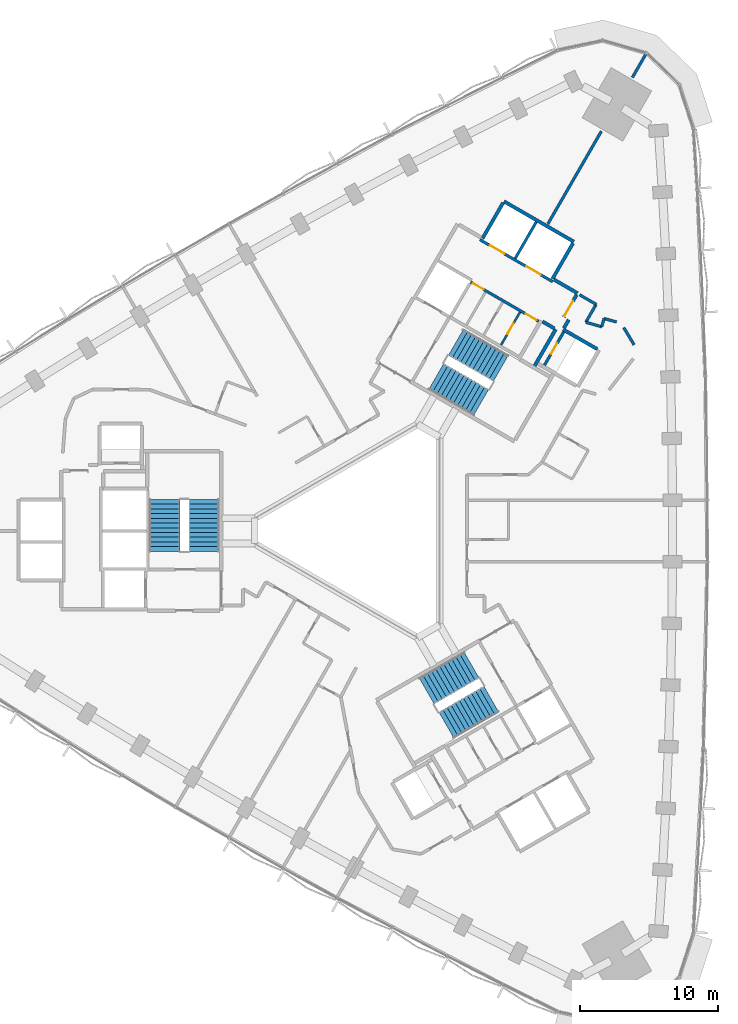
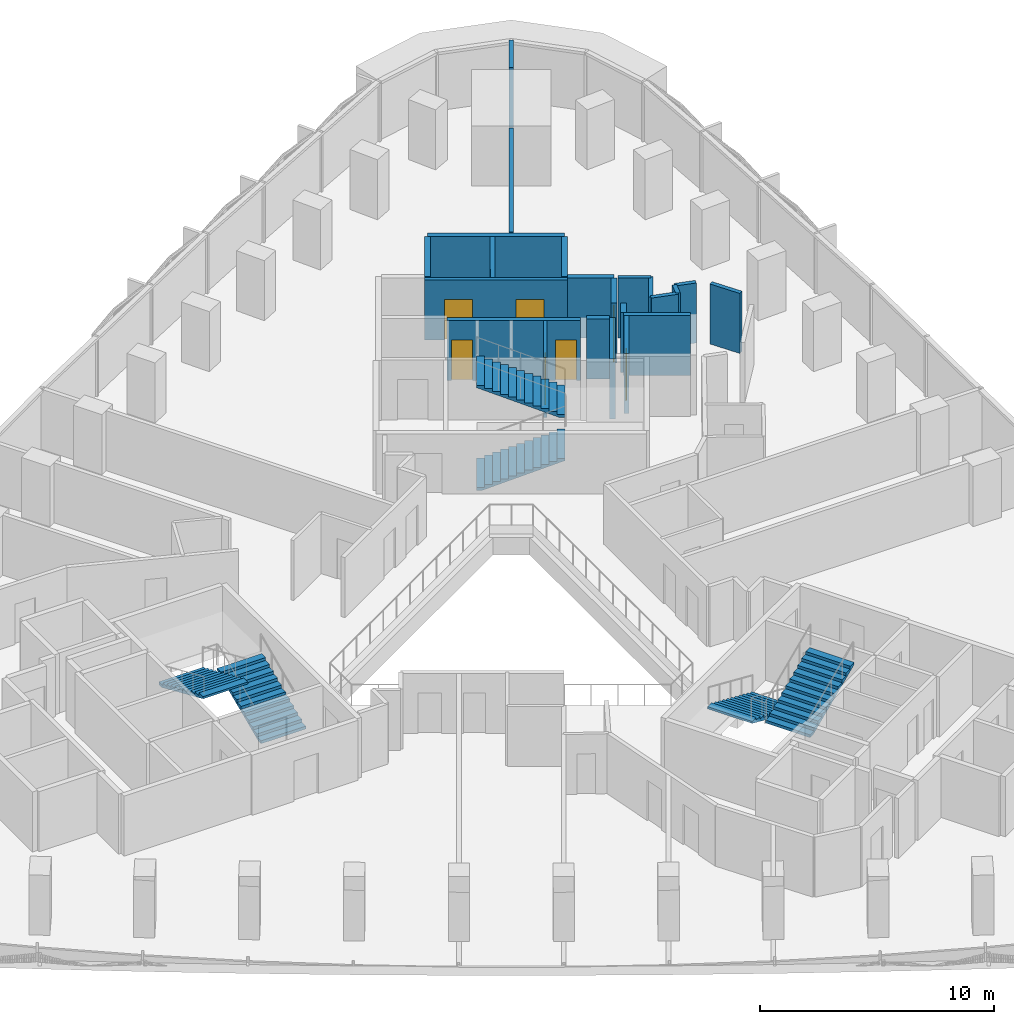
# One storey, part 12 of 15: 22 walls, 7 doors, 6 stair flights, 7 openings, 3 elements without a shape of their own.
"""IFC4 building model written with IfcOpenShell, lengths in metres."""

from ifc_helpers import new_model, si_unit, direction, frame, frame_2d, origin, place, context, subcontext, project, spatial, polyline, rectangle, outline, extrude, material, layer, layer_set, type_object, element, fill, aggregate, save


model = new_model("IFC4")

# Units and contexts
model_context = context("Model", 3, precision=1e-05, world=origin(), true_north=direction((0.0, 1.0)))
body_context = subcontext(model_context, "Body", "Model", "MODEL_VIEW")
ifc_project = project(units=[si_unit("LENGTHUNIT", "METRE"), si_unit("AREAUNIT", "SQUARE_METRE"), si_unit("VOLUMEUNIT", "CUBIC_METRE"), si_unit("PLANEANGLEUNIT", "RADIAN"), si_unit("MASSUNIT", "GRAM", prefix="KILO")], contexts=[model_context])

# Site, building, storey
site_placement = place(None, origin())
site = spatial("IfcSite", under=ifc_project, at=site_placement, CompositionType="ELEMENT")
building_placement = place(site_placement, origin())
building = spatial("IfcBuilding", under=site, at=building_placement, Name="Tamra Quay Hotel Tower", CompositionType="ELEMENT")
storey_placement = place(building_placement, frame((0.0, 0.0, 53.0)))
storey = spatial("IfcBuildingStorey", under=building, at=storey_placement, Name="L11", CompositionType="ELEMENT", Elevation=53.0)

# Wall, openings, doors
ifc_material_1 = material(Name="Concrete M70", Category="concrete")
ifc_layer_1 = layer(ifc_material_1, 0.199951171875)
ifc_layer_set_1 = layer_set([ifc_layer_1], Name="Concrete M70 core wall 200")
wall_type_1 = type_object("IfcWallType", Name="Concrete M70 core wall 200", PredefinedType="SHEAR", material=ifc_layer_set_1)
wall_1_placement = place(storey_placement, frame((13.209716796875, 18.07958984375, 0.0), z_axis=(0.0, 0.0, 1.0), x_axis=(-0.866030299012, 0.499991521122, 0.0)))
wall_1 = element("IfcWall", 1, at=wall_1_placement, inside=storey, type_object=wall_type_1, Name="CW2", PredefinedType="SHEAR", context=body_context, shape_type="SweptSolid", body=[
    extrude(rectangle(XDim=6.10009765625, YDim=0.199951171875, at=frame_2d((3.050048828125, 0.0))), origin(), (0.0, 0.0, 1.0), 3.125),
])
opening_1_placement = place(wall_1_placement, frame((1.0, 0.0, 0.0)))
opening_1 = element("IfcOpeningElement", 2, at=opening_1_placement, cuts=wall_1, Name="Opening LD", PredefinedType="OPENING", context=body_context, shape_type="SweptSolid", body=[
    extrude(rectangle(XDim=1.199951171875, YDim=2.10009765625, at=frame_2d((0.60009765625, 1.050048828125))), frame((0.0, 0.10986328125, 0.0), z_axis=(0.0, -1.0, 0.0), x_axis=(1.0, 0.0, 0.0)), (0.0, 0.0, 1.0), 0.219970703125),
])
opening_2_placement = place(wall_1_placement, frame((4.05029296875, 0.0, 0.0)))
opening_2 = element("IfcOpeningElement", 3, at=opening_2_placement, cuts=wall_1, Name="Opening LD", PredefinedType="OPENING", context=body_context, shape_type="SweptSolid", body=[
    extrude(rectangle(XDim=1.199951171875, YDim=2.10009765625, at=frame_2d((0.60009765625, 1.050048828125))), frame((0.0, 0.10986328125, 0.0), z_axis=(0.0, -1.0, 0.0), x_axis=(1.0, 0.0, 0.0)), (0.0, 0.0, 1.0), 0.219970703125),
])
ifc_material_2 = material(Name="Landing door LD 1200 double door sliding")
door_type_1 = type_object("IfcDoorType", Name="Landing door LD 1200 double door sliding", OperationType="DOUBLE_DOOR_SLIDING", PredefinedType="DOOR", material=ifc_material_2)
door_1_placement = place(opening_1_placement, origin())
door_1 = element("IfcDoor", 4, at=door_1_placement, inside=storey, type_object=door_type_1, Name="LD", OperationType="DOUBLE_DOOR_SLIDING", OverallHeight=2.10009765625, OverallWidth=1.199951171875, PredefinedType="DOOR", context=body_context, shape_type="SweptSolid", body=[
    extrude(rectangle(XDim=1.199951171875, YDim=2.10009765625, at=frame_2d((0.60009765625, 1.050048828125))), frame((0.0, 0.02490234375, 0.0), z_axis=(0.0, -1.0, 0.0), x_axis=(1.0, 0.0, 0.0)), (0.0, 0.0, 1.0), 0.050048828125),
])
fill(opening_1, door_1)
door_2_placement = place(opening_2_placement, origin())
door_2 = element("IfcDoor", 5, at=door_2_placement, inside=storey, type_object=door_type_1, Name="LD", OperationType="DOUBLE_DOOR_SLIDING", OverallHeight=2.10009765625, OverallWidth=1.199951171875, PredefinedType="DOOR", context=body_context, shape_type="SweptSolid", body=[
    extrude(rectangle(XDim=1.199951171875, YDim=2.10009765625, at=frame_2d((0.60009765625, 1.050048828125))), frame((0.0, 0.02490234375, 0.0), z_axis=(0.0, -1.0, 0.0), x_axis=(1.0, 0.0, 0.0)), (0.0, 0.0, 1.0), 0.050048828125),
])
fill(opening_2, door_2)

wall_2_placement = place(storey_placement, frame((12.18505859375, 15.20703125, 0.0), z_axis=(0.0, 0.0, 1.0), x_axis=(-0.866020080793, 0.500009219579, 0.0)))
wall_2 = element("IfcWall", 6, at=wall_2_placement, inside=storey, type_object=wall_type_1, Name="CW2", PredefinedType="SHEAR", context=body_context, shape_type="SweptSolid", body=[
    extrude(rectangle(XDim=5.69921875, YDim=0.199951171875, at=frame_2d((2.849609375, 0.0))), origin(), (0.0, 0.0, 1.0), 3.125),
])
opening_3_placement = place(wall_2_placement, frame((0.174072265625, 0.0, 0.0)))
opening_3 = element("IfcOpeningElement", 7, at=opening_3_placement, cuts=wall_2, Name="Opening D2", PredefinedType="OPENING", context=body_context, shape_type="SweptSolid", body=[
    extrude(rectangle(XDim=0.89990234375, YDim=2.10009765625, at=frame_2d((0.449951171875, 1.050048828125))), frame((0.0, 0.10986328125, 0.0), z_axis=(0.0, -1.0, 0.0), x_axis=(1.0, 0.0, 0.0)), (0.0, 0.0, 1.0), 0.219970703125),
])
opening_4_placement = place(wall_2_placement, frame((4.59912109375, 0.0, 0.0)))
opening_4 = element("IfcOpeningElement", 8, at=opening_4_placement, cuts=wall_2, Name="Opening D2", PredefinedType="OPENING", context=body_context, shape_type="SweptSolid", body=[
    extrude(rectangle(XDim=0.89990234375, YDim=2.10009765625, at=frame_2d((0.449951171875, 1.050048828125))), frame((0.0, 0.10986328125, 0.0), z_axis=(0.0, -1.0, 0.0), x_axis=(1.0, 0.0, 0.0)), (0.0, 0.0, 1.0), 0.219970703125),
])
ifc_material_3 = material(Name="Core door D2 900x2100 LH")
door_type_2 = type_object("IfcDoorType", Name="Core door D2 900x2100 LH", OperationType="NOTDEFINED", PredefinedType="DOOR", material=ifc_material_3)
door_3_placement = place(opening_4_placement, origin())
door_3 = element("IfcDoor", 9, at=door_3_placement, inside=storey, type_object=door_type_2, Name="D2", OperationType="SINGLE_SWING_LEFT", OverallHeight=2.10009765625, OverallWidth=0.89990234375, PredefinedType="DOOR", context=body_context, shape_type="SweptSolid", body=[
    extrude(rectangle(XDim=0.89990234375, YDim=2.10009765625, at=frame_2d((0.449951171875, 1.050048828125))), frame((0.0, 0.02490234375, 0.0), z_axis=(0.0, -1.0, 0.0), x_axis=(1.0, 0.0, 0.0)), (0.0, 0.0, 1.0), 0.050048828125),
])
fill(opening_4, door_3)
ifc_material_4 = material(Name="Core door D2 900x2100 RH")
door_type_3 = type_object("IfcDoorType", Name="Core door D2 900x2100 RH", OperationType="NOTDEFINED", PredefinedType="DOOR", material=ifc_material_4)
door_4_placement = place(opening_3_placement, origin())
door_4 = element("IfcDoor", 10, at=door_4_placement, inside=storey, type_object=door_type_3, Name="D2", OperationType="SINGLE_SWING_RIGHT", OverallHeight=2.10009765625, OverallWidth=0.89990234375, PredefinedType="DOOR", context=body_context, shape_type="SweptSolid", body=[
    extrude(rectangle(XDim=0.89990234375, YDim=2.10009765625, at=frame_2d((0.449951171875, 1.050048828125))), frame((0.0, 0.02490234375, 0.0), z_axis=(0.0, -1.0, 0.0), x_axis=(1.0, 0.0, 0.0)), (0.0, 0.0, 1.0), 0.050048828125),
])
fill(opening_3, door_4)

# Wall
wall_3_placement = place(storey_placement, frame((10.48876953125, 19.76708984375, 0.0), z_axis=(0.0, 0.0, 1.0), x_axis=(0.499946628782, 0.866056215479, 0.0)))
element("IfcWall", 11, at=wall_3_placement, inside=storey, type_object=wall_type_1, Name="CW2", PredefinedType="SHEAR", context=body_context, shape_type="SweptSolid", body=[
    extrude(rectangle(XDim=3.048095703125, YDim=0.199951171875, at=frame_2d((1.52392578125, 0.0))), origin(), (0.0, 0.0, 1.0), 3.125),
])

# Wall, opening, door
wall_4_placement = place(storey_placement, frame((14.0078125, 14.442138671875, 0.0), z_axis=(0.0, 0.0, 1.0), x_axis=(-0.499986818241, -0.866033014143, 0.0)))
wall_4 = element("IfcWall", 12, at=wall_4_placement, inside=storey, type_object=wall_type_1, Name="CW2", PredefinedType="SHEAR", context=body_context, shape_type="SweptSolid", body=[
    extrude(rectangle(XDim=2.7978515625, YDim=0.199951171875, at=frame_2d((1.39892578125, 0.0))), origin(), (0.0, 0.0, 1.0), 3.125),
])
opening_5_placement = place(wall_4_placement, frame((0.948974609375, 0.0, 0.0)))
opening_5 = element("IfcOpeningElement", 13, at=opening_5_placement, cuts=wall_4, Name="Opening D1", PredefinedType="OPENING", context=body_context, shape_type="SweptSolid", body=[
    extrude(rectangle(XDim=0.89990234375, YDim=2.10009765625, at=frame_2d((0.449951171875, 1.050048828125))), frame((0.0, 0.10986328125, 0.0), z_axis=(0.0, -1.0, 0.0), x_axis=(1.0, 0.0, 0.0)), (0.0, 0.0, 1.0), 0.219970703125),
])
ifc_material_5 = material(Name="Core door D1 900x2100 RH")
door_type_4 = type_object("IfcDoorType", Name="Core door D1 900x2100 RH", OperationType="NOTDEFINED", PredefinedType="DOOR", material=ifc_material_5)
door_5_placement = place(opening_5_placement, origin())
door_5 = element("IfcDoor", 14, at=door_5_placement, inside=storey, type_object=door_type_4, Name="D1", OperationType="SINGLE_SWING_RIGHT", OverallHeight=2.10009765625, OverallWidth=0.89990234375, PredefinedType="DOOR", context=body_context, shape_type="SweptSolid", body=[
    extrude(rectangle(XDim=0.89990234375, YDim=2.10009765625, at=frame_2d((0.449951171875, 1.050048828125))), frame((0.0, 0.02490234375, 0.0), z_axis=(0.0, -1.0, 0.0), x_axis=(1.0, 0.0, 0.0)), (0.0, 0.0, 1.0), 0.050048828125),
])
fill(opening_5, door_5)

# Walls
ifc_layer_2 = layer(ifc_material_1, 0.25)
ifc_layer_set_2 = layer_set([ifc_layer_2], Name="Concrete M70 core wall 250")
wall_type_2 = type_object("IfcWallType", Name="Concrete M70 core wall 250", PredefinedType="SHEAR", material=ifc_layer_set_2)
wall_5_placement = place(storey_placement, frame((9.672607421875, 23.9033203125, 0.0), z_axis=(0.0, 0.0, 1.0), x_axis=(0.86603616409, -0.499981362141, 0.0)))
element("IfcWall", 15, at=wall_5_placement, inside=storey, type_object=wall_type_2, Name="CW1", PredefinedType="SHEAR", context=body_context, shape_type="SweptSolid", body=[
    extrude(rectangle(XDim=5.849853515625, YDim=0.25, at=frame_2d((2.9248046875, 0.0))), origin(), (0.0, 0.0, 1.0), 3.125),
])
for number, where, z_axis, x_axis, name in (
    (16, (8.12255859375, 21.21875, 0.0), (0.0, 0.0, 1.0), (0.499987686533, 0.866032512851, 0.0), "CW1"),
    (17, (14.67626953125, 20.869873046875, 0.0), (0.0, 0.0, 1.0), (-0.499987686533, -0.866032512851, 0.0), "CW1"),
):
    element("IfcWall", number, at=place(storey_placement, frame(where, z_axis=z_axis, x_axis=x_axis)), inside=storey, type_object=wall_type_2, Name=name, PredefinedType="SHEAR", context=body_context, shape_type="SweptSolid", body=[
        extrude(rectangle(XDim=2.974609375, YDim=0.25, at=frame_2d((1.4873046875, 0.0))), origin(), (0.0, 0.0, 1.0), 3.125),
    ])
wall_6_placement = place(storey_placement, frame((13.962646484375, 14.61376953125, 0.0), z_axis=(0.0, 0.0, 1.0), x_axis=(0.866042235819, -0.499970844928, 0.0)))
element("IfcWall", 18, at=wall_6_placement, inside=storey, type_object=wall_type_2, Name="CW1", PredefinedType="SHEAR", context=body_context, shape_type="SweptSolid", body=[
    extrude(rectangle(XDim=2.864501953125, YDim=0.25, at=frame_2d((1.43212890625, 0.0))), origin(), (0.0, 0.0, 1.0), 3.125),
])
wall_7_placement = place(storey_placement, frame((11.887939453125, 11.960693359375, 0.0), z_axis=(0.0, 0.0, 1.0), x_axis=(0.500003324108, 0.866023484601, 0.0)))
element("IfcWall", 19, at=wall_7_placement, inside=storey, type_object=wall_type_2, Name="CW1", PredefinedType="SHEAR", context=body_context, shape_type="SweptSolid", body=[
    extrude(rectangle(XDim=3.0849609375, YDim=0.25, at=frame_2d((1.54248046875, 0.0))), origin(), (0.0, 0.0, 1.0), 3.125),
])
wall_8_placement = place(storey_placement, frame((13.29736328125, 18.23095703125, 0.0), z_axis=(0.0, 0.0, 1.0), x_axis=(0.866043531843, -0.499968599967, 0.0)))
element("IfcWall", 20, at=wall_8_placement, inside=storey, type_object=wall_type_2, Name="CW1", PredefinedType="SHEAR", context=body_context, shape_type="SweptSolid", body=[
    extrude(rectangle(XDim=1.974853515625, YDim=0.25, at=frame_2d((0.9873046875, 0.0))), origin(), (0.0, 0.0, 1.0), 3.125),
])

# Wall, opening, door
wall_9_placement = place(storey_placement, frame((14.94482421875, 17.13525390625, 0.0), z_axis=(0.0, 0.0, 1.0), x_axis=(-0.499983108224, -0.866035156036, 0.0)))
wall_9 = element("IfcWall", 21, at=wall_9_placement, inside=storey, type_object=wall_type_2, Name="CW1", PredefinedType="SHEAR", context=body_context, shape_type="SweptSolid", body=[
    extrude(rectangle(XDim=1.86474609375, YDim=0.25, at=frame_2d((0.932373046875, 0.0))), origin(), (0.0, 0.0, 1.0), 3.125),
])
opening_6_placement = place(wall_9_placement, frame((0.53466796875, 0.0, 0.0)))
opening_6 = element("IfcOpeningElement", 22, at=opening_6_placement, cuts=wall_9, Name="Opening FD3", PredefinedType="OPENING", context=body_context, shape_type="SweptSolid", body=[
    extrude(rectangle(XDim=1.25, YDim=2.10009765625, at=frame_2d((0.625, 1.050048828125))), frame((0.0, 0.135009765625, 0.0), z_axis=(0.0, -1.0, 0.0), x_axis=(1.0, 0.0, 0.0)), (0.0, 0.0, 1.0), 0.27001953125),
])
ifc_material_6 = material(Name="Core door FD3 1250x2100 LH")
door_type_5 = type_object("IfcDoorType", Name="Core door FD3 1250x2100 LH", OperationType="NOTDEFINED", PredefinedType="DOOR", material=ifc_material_6)
door_6_placement = place(opening_6_placement, origin())
door_6 = element("IfcDoor", 23, at=door_6_placement, inside=storey, type_object=door_type_5, Name="FD3", OperationType="SINGLE_SWING_LEFT", OverallHeight=2.10009765625, OverallWidth=1.25, PredefinedType="DOOR", context=body_context, shape_type="SweptSolid", body=[
    extrude(rectangle(XDim=1.25, YDim=2.10009765625, at=frame_2d((0.625, 1.050048828125))), frame((0.0, 0.02490234375, 0.0), z_axis=(0.0, -1.0, 0.0), x_axis=(1.0, 0.0, 0.0)), (0.0, 0.0, 1.0), 0.050048828125),
])
fill(opening_6, door_6)

# Walls
wall_10_placement = place(storey_placement, frame((13.322021484375, 14.695068359375, 0.0), z_axis=(0.0, 0.0, 1.0), x_axis=(-0.866017078145, 0.500014420154, 0.0)))
element("IfcWall", 24, at=wall_10_placement, inside=storey, type_object=wall_type_2, Name="CW1", PredefinedType="SHEAR", context=body_context, shape_type="SweptSolid", body=[
    extrude(rectangle(XDim=0.9892578125, YDim=0.25, at=frame_2d((0.49462890625, 0.0))), origin(), (0.0, 0.0, 1.0), 3.125),
])
wall_11_placement = place(storey_placement, frame((14.36767578125, 15.3154296875, 0.0), z_axis=(0.0, 0.0, 1.0), x_axis=(-0.499897359611, -0.866084655132, 0.0)))
element("IfcWall", 25, at=wall_11_placement, inside=storey, type_object=wall_type_2, Name="CW1", PredefinedType="SHEAR", context=body_context, shape_type="SweptSolid", body=[
    extrude(rectangle(XDim=0.684814453125, YDim=0.25, at=frame_2d((0.34228515625, 0.0))), origin(), (0.0, 0.0, 1.0), 3.125),
])

# Wall, opening, door
ifc_material_7 = material(Name="Blockwork", Category="masonry")
ifc_layer_3 = layer(ifc_material_7, 0.14990234375)
ifc_layer_set_3 = layer_set([ifc_layer_3], Name="Core partition block 150")
wall_type_3 = type_object("IfcWallType", Name="Core partition block 150", PredefinedType="PARTITIONING", material=ifc_layer_set_3)
wall_12_placement = place(storey_placement, frame((9.462158203125, 13.4892578125, 0.0), z_axis=(0.0, 0.0, 1.0), x_axis=(0.50002746344, 0.86600954718, 0.0)))
wall_12 = element("IfcWall", 26, at=wall_12_placement, inside=storey, type_object=wall_type_3, Name="CP1", PredefinedType="PARTITIONING", context=body_context, shape_type="SweptSolid", body=[
    extrude(rectangle(XDim=2.748291015625, YDim=0.14990234375, at=frame_2d((1.3740234375, 0.0))), origin(), (0.0, 0.0, 1.0), 3.125),
])
opening_7_placement = place(wall_12_placement, frame((0.92431640625, 0.0, 0.0)))
opening_7 = element("IfcOpeningElement", 27, at=opening_7_placement, cuts=wall_12, Name="Opening D2", PredefinedType="OPENING", context=body_context, shape_type="SweptSolid", body=[
    extrude(rectangle(XDim=0.89990234375, YDim=2.10009765625, at=frame_2d((0.449951171875, 1.050048828125))), frame((0.0, 0.0849609375, 0.0), z_axis=(0.0, -1.0, 0.0), x_axis=(1.0, 0.0, 0.0)), (0.0, 0.0, 1.0), 0.169921875),
])
door_7_placement = place(opening_7_placement, origin())
door_7 = element("IfcDoor", 28, at=door_7_placement, inside=storey, type_object=door_type_2, Name="D2", OperationType="SINGLE_SWING_LEFT", OverallHeight=2.10009765625, OverallWidth=0.89990234375, PredefinedType="DOOR", context=body_context, shape_type="SweptSolid", body=[
    extrude(rectangle(XDim=0.89990234375, YDim=2.10009765625, at=frame_2d((0.449951171875, 1.050048828125))), frame((0.0, 0.02490234375, 0.0), z_axis=(0.0, -1.0, 0.0), x_axis=(1.0, 0.0, 0.0)), (0.0, 0.0, 1.0), 0.050048828125),
])
fill(opening_7, door_7)

# Walls
ifc_material_8 = material(Name="Partition corridor wall")
ifc_layer_4 = layer(ifc_material_8, 0.199951171875)
ifc_layer_set_4 = layer_set([ifc_layer_4], Name="Partition corridor wall")
wall_type_4 = type_object("IfcWallType", Name="Partition corridor wall", PredefinedType="PARTITIONING", material=ifc_layer_set_4)
wall_13_placement = place(storey_placement, frame((15.155517578125, 17.130126953125, 0.0), z_axis=(0.0, 0.0, 1.0), x_axis=(0.865755062894, -0.500467952093, 0.0)))
element("IfcWall", 29, at=wall_13_placement, inside=storey, type_object=wall_type_4, Name="W-C", PredefinedType="PARTITIONING", context=body_context, shape_type="SweptSolid", body=[
    extrude(rectangle(XDim=1.388916015625, YDim=0.199951171875, at=frame_2d((0.6943359375, 0.0))), origin(), (0.0, 0.0, 1.0), 3.125),
])
wall_14_placement = place(storey_placement, frame((15.60888671875, 15.135986328125, 0.0), z_axis=(0.0, 0.0, 1.0), x_axis=(0.499501622561, 0.866312950993, 0.0)))
element("IfcWall", 30, at=wall_14_placement, inside=storey, type_object=wall_type_4, Name="W-C", PredefinedType="PARTITIONING", context=body_context, shape_type="SweptSolid", body=[
    extrude(rectangle(XDim=1.49951171875, YDim=0.199951171875, at=frame_2d((0.749755859375, 0.0))), origin(), (0.0, 0.0, 1.0), 3.125),
])
wall_15_placement = place(storey_placement, frame((15.60888671875, 15.135986328125, 0.0), z_axis=(0.0, 0.0, 1.0), x_axis=(0.961662011825, -0.274237442763, 0.0)))
element("IfcWall", 31, at=wall_15_placement, inside=storey, type_object=wall_type_4, Name="W-C", PredefinedType="PARTITIONING", context=body_context, shape_type="SweptSolid", body=[
    extrude(rectangle(XDim=1.199951171875, YDim=0.199951171875, at=frame_2d((0.60009765625, 0.0))), origin(), (0.0, 0.0, 1.0), 3.125),
])
wall_16_placement = place(storey_placement, frame((16.762939453125, 14.806884765625, 0.0), z_axis=(0.0, 0.0, 1.0), x_axis=(0.274464026122, 0.961597368115, 0.0)))
element("IfcWall", 32, at=wall_16_placement, inside=storey, type_object=wall_type_4, Name="W-C", PredefinedType="PARTITIONING", context=body_context, shape_type="SweptSolid", body=[
    extrude(rectangle(XDim=0.627197265625, YDim=0.199951171875, at=frame_2d((0.3134765625, 0.0))), origin(), (0.0, 0.0, 1.0), 3.125),
])
wall_17_placement = place(storey_placement, frame((16.93505859375, 15.409912109375, 0.0), z_axis=(0.0, 0.0, 1.0), x_axis=(0.961602664273, -0.274445470107, 0.0)))
element("IfcWall", 33, at=wall_17_placement, inside=storey, type_object=wall_type_4, Name="W-C", PredefinedType="PARTITIONING", context=body_context, shape_type="SweptSolid", body=[
    extrude(rectangle(XDim=0.935791015625, YDim=0.199951171875, at=frame_2d((0.4677734375, 0.0))), origin(), (0.0, 0.0, 1.0), 3.125),
])
wall_18_placement = place(storey_placement, frame((18.360107421875, 14.7509765625, 0.0), z_axis=(0.0, 0.0, 1.0), x_axis=(0.514495755428, -0.857492925713, 0.0)))
element("IfcWall", 34, at=wall_18_placement, inside=storey, type_object=wall_type_4, Name="W-C", PredefinedType="PARTITIONING", context=body_context, shape_type="SweptSolid", body=[
    extrude(rectangle(XDim=1.457763671875, YDim=0.199951171875, at=frame_2d((0.72900390625, 0.0))), origin(), (0.0, 0.0, 1.0), 3.125),
])
ifc_material_9 = material(Name="Partition party wall")
ifc_layer_5 = layer(ifc_material_9, 0.199951171875)
ifc_layer_set_5 = layer_set([ifc_layer_5], Name="Partition party wall")
wall_type_5 = type_object("IfcWallType", Name="Partition party wall", PredefinedType="PARTITIONING", material=ifc_layer_set_5)
wall_19_placement = place(storey_placement, frame((12.861083984375, 22.276123046875, 0.0), z_axis=(0.0, 0.0, 1.0), x_axis=(0.499824227645, 0.86612686222, 0.0)))
element("IfcWall", 35, at=wall_19_placement, inside=storey, type_object=wall_type_5, Name="W-P", PredefinedType="PARTITIONING", context=body_context, shape_type="SweptSolid", body=[
    extrude(rectangle(XDim=7.752685546875, YDim=0.199951171875, at=frame_2d((3.87646484375, 0.0))), origin(), (0.0, 0.0, 1.0), 3.125),
])
wall_20_placement = place(storey_placement, frame((18.987060546875, 32.89208984375, 0.0), z_axis=(0.0, 0.0, 1.0), x_axis=(0.499812681335, 0.866133525259, 0.0)))
element("IfcWall", 36, at=wall_20_placement, inside=storey, type_object=wall_type_5, Name="W-P", PredefinedType="PARTITIONING", context=body_context, shape_type="SweptSolid", body=[
    extrude(rectangle(XDim=2.030029296875, YDim=0.199951171875, at=frame_2d((1.01513671875, 0.0))), origin(), (0.0, 0.0, 1.0), 3.125),
])

# Stair, stair flights
ifc_material_10 = material(Name="Exit stair 2200 24 risers 150.0 going 342")
stair_type = type_object("IfcStairType", Name="Exit stair 2200 24 risers 150.0 going 342", PredefinedType="HALF_TURN_STAIR", material=ifc_material_10)
stair_1_placement = place(storey_placement, origin())
stair_1 = element("IfcStair", 37, at=stair_1_placement, inside=storey, type_object=stair_type, Name="L11 Exit stair ST3", PredefinedType="HALF_TURN_STAIR")
ifc_material_11 = material(Name="Exit stair flight 2200 12 risers 150.0")
stair_flight_type = type_object("IfcStairFlightType", Name="Exit stair flight 2200 12 risers 150.0", PredefinedType="STRAIGHT", material=ifc_material_11)
stair_flight_1_placement = place(storey_placement, frame((-12.082275390625, -1.47998046875, 0.0), z_axis=(0.0, 0.0, 1.0), x_axis=(0.0, 1.0, 0.0)))
stair_flight_1 = element("IfcStairFlight", 38, at=stair_flight_1_placement, type_object=stair_flight_type, Name="ST3 flight 1", NumberOfRisers=12, NumberOfTreads=11, PredefinedType="STRAIGHT", RiserHeight=0.15, TreadLength=0.342, context=body_context, shape_type="SweptSolid", body=[
    extrude(outline(polyline([(0.0, 0.0), (0.0, 0.14990234375), (0.342041015625, 0.14990234375), (0.342041015625, 0.300048828125), (0.68408203125, 0.300048828125), (0.68408203125, 0.449951171875), (1.02587890625, 0.449951171875), (1.02587890625, 0.60009765625), (1.367919921875, 0.60009765625), (1.367919921875, 0.75), (1.7099609375, 0.75), (1.7099609375, 0.89990234375), (2.052001953125, 0.89990234375), (2.052001953125, 1.050048828125), (2.39404296875, 1.050048828125), (2.39404296875, 1.199951171875), (2.736083984375, 1.199951171875), (2.736083984375, 1.35009765625), (3.077880859375, 1.35009765625), (3.077880859375, 1.5), (3.419921875, 1.5), (3.419921875, 1.64990234375), (3.761962890625, 1.64990234375), (3.761962890625, 1.800048828125), (3.761962890625, 1.540771484375), (0.249267578125, 0.0), (0.0, 0.0)])), frame((0.0, 1.10009765625, 0.0), z_axis=(0.0, -1.0, 0.0), x_axis=(1.0, 0.0, 0.0)), (0.0, 0.0, 1.0), 2.199951171875),
])
stair_flight_2_placement = place(storey_placement, frame((-14.94140625, 2.281982421875, 1.800048828125), z_axis=(0.0, 0.0, 1.0), x_axis=(0.0, -1.0, 0.0)))
stair_flight_2 = element("IfcStairFlight", 39, at=stair_flight_2_placement, type_object=stair_flight_type, Name="ST3 flight 2", NumberOfRisers=12, NumberOfTreads=11, PredefinedType="STRAIGHT", RiserHeight=0.15, TreadLength=0.342, context=body_context, shape_type="SweptSolid", body=[
    extrude(outline(polyline([(0.0, 0.0), (0.0, 0.14990234375), (0.342041015625, 0.14990234375), (0.342041015625, 0.300048828125), (0.68408203125, 0.300048828125), (0.68408203125, 0.449951171875), (1.02587890625, 0.449951171875), (1.02587890625, 0.60009765625), (1.367919921875, 0.60009765625), (1.367919921875, 0.75), (1.7099609375, 0.75), (1.7099609375, 0.89990234375), (2.052001953125, 0.89990234375), (2.052001953125, 1.050048828125), (2.39404296875, 1.050048828125), (2.39404296875, 1.199951171875), (2.736083984375, 1.199951171875), (2.736083984375, 1.35009765625), (3.077880859375, 1.35009765625), (3.077880859375, 1.5), (3.419921875, 1.5), (3.419921875, 1.64990234375), (3.761962890625, 1.64990234375), (3.761962890625, 1.800048828125), (3.761962890625, 1.540771484375), (0.249267578125, 0.0), (0.0, 0.0)])), frame((0.0, 1.10009765625, 0.0), z_axis=(0.0, -1.0, 0.0), x_axis=(1.0, 0.0, 0.0)), (0.0, 0.0, 1.0), 2.199951171875),
])
aggregate(stair_1, [stair_flight_1, stair_flight_2])

stair_2_placement = place(storey_placement, origin())
stair_2 = element("IfcStair", 40, at=stair_2_placement, inside=storey, type_object=stair_type, Name="L11 Exit stair ST1", PredefinedType="HALF_TURN_STAIR")
stair_flight_3_placement = place(storey_placement, frame((4.75927734375, 11.20361328125, 0.0), z_axis=(0.0, 0.0, 1.0), x_axis=(0.866025403784, -0.5, 0.0)))
stair_flight_3 = element("IfcStairFlight", 41, at=stair_flight_3_placement, type_object=stair_flight_type, Name="ST1 flight 1", NumberOfRisers=12, NumberOfTreads=11, PredefinedType="STRAIGHT", RiserHeight=0.15, TreadLength=0.342, context=body_context, shape_type="SweptSolid", body=[
    extrude(outline(polyline([(0.0, 0.0), (0.0, 0.14990234375), (0.342041015625, 0.14990234375), (0.342041015625, 0.300048828125), (0.68408203125, 0.300048828125), (0.68408203125, 0.449951171875), (1.02587890625, 0.449951171875), (1.02587890625, 0.60009765625), (1.367919921875, 0.60009765625), (1.367919921875, 0.75), (1.7099609375, 0.75), (1.7099609375, 0.89990234375), (2.052001953125, 0.89990234375), (2.052001953125, 1.050048828125), (2.39404296875, 1.050048828125), (2.39404296875, 1.199951171875), (2.736083984375, 1.199951171875), (2.736083984375, 1.35009765625), (3.077880859375, 1.35009765625), (3.077880859375, 1.5), (3.419921875, 1.5), (3.419921875, 1.64990234375), (3.761962890625, 1.64990234375), (3.761962890625, 1.800048828125), (3.761962890625, 1.540771484375), (0.249267578125, 0.0), (0.0, 0.0)])), frame((0.0, 1.10009765625, 0.0), z_axis=(0.0, -1.0, 0.0), x_axis=(1.0, 0.0, 0.0)), (0.0, 0.0, 1.0), 2.199951171875),
])
stair_flight_4_placement = place(storey_placement, frame((9.44677734375, 11.798583984375, 1.800048828125), z_axis=(0.0, 0.0, 1.0), x_axis=(-0.866025403784, 0.5, 0.0)))
stair_flight_4 = element("IfcStairFlight", 42, at=stair_flight_4_placement, type_object=stair_flight_type, Name="ST1 flight 2", NumberOfRisers=12, NumberOfTreads=11, PredefinedType="STRAIGHT", RiserHeight=0.15, TreadLength=0.342, context=body_context, shape_type="SweptSolid", body=[
    extrude(outline(polyline([(0.0, 0.0), (0.0, 0.14990234375), (0.342041015625, 0.14990234375), (0.342041015625, 0.300048828125), (0.68408203125, 0.300048828125), (0.68408203125, 0.449951171875), (1.02587890625, 0.449951171875), (1.02587890625, 0.60009765625), (1.367919921875, 0.60009765625), (1.367919921875, 0.75), (1.7099609375, 0.75), (1.7099609375, 0.89990234375), (2.052001953125, 0.89990234375), (2.052001953125, 1.050048828125), (2.39404296875, 1.050048828125), (2.39404296875, 1.199951171875), (2.736083984375, 1.199951171875), (2.736083984375, 1.35009765625), (3.077880859375, 1.35009765625), (3.077880859375, 1.5), (3.419921875, 1.5), (3.419921875, 1.64990234375), (3.761962890625, 1.64990234375), (3.761962890625, 1.800048828125), (3.761962890625, 1.540771484375), (0.249267578125, 0.0), (0.0, 0.0)])), frame((0.0, 1.10009765625, 0.0), z_axis=(0.0, -1.0, 0.0), x_axis=(1.0, 0.0, 0.0)), (0.0, 0.0, 1.0), 2.199951171875),
])
aggregate(stair_2, [stair_flight_3, stair_flight_4])

stair_3_placement = place(storey_placement, origin())
stair_3 = element("IfcStair", 43, at=stair_3_placement, inside=storey, type_object=stair_type, Name="L11 Exit stair ST2", PredefinedType="HALF_TURN_STAIR")
stair_flight_5_placement = place(storey_placement, frame((7.322998046875, -9.7236328125, 0.0), z_axis=(0.0, 0.0, 1.0), x_axis=(-0.866025403784, -0.5, 0.0)))
stair_flight_5 = element("IfcStairFlight", 44, at=stair_flight_5_placement, type_object=stair_flight_type, Name="ST2 flight 1", NumberOfRisers=12, NumberOfTreads=11, PredefinedType="STRAIGHT", RiserHeight=0.15, TreadLength=0.342, context=body_context, shape_type="SweptSolid", body=[
    extrude(outline(polyline([(0.0, 0.0), (0.0, 0.14990234375), (0.342041015625, 0.14990234375), (0.342041015625, 0.300048828125), (0.68408203125, 0.300048828125), (0.68408203125, 0.449951171875), (1.02587890625, 0.449951171875), (1.02587890625, 0.60009765625), (1.367919921875, 0.60009765625), (1.367919921875, 0.75), (1.7099609375, 0.75), (1.7099609375, 0.89990234375), (2.052001953125, 0.89990234375), (2.052001953125, 1.050048828125), (2.39404296875, 1.050048828125), (2.39404296875, 1.199951171875), (2.736083984375, 1.199951171875), (2.736083984375, 1.35009765625), (3.077880859375, 1.35009765625), (3.077880859375, 1.5), (3.419921875, 1.5), (3.419921875, 1.64990234375), (3.761962890625, 1.64990234375), (3.761962890625, 1.800048828125), (3.761962890625, 1.540771484375), (0.249267578125, 0.0), (0.0, 0.0)])), frame((0.0, 1.10009765625, 0.0), z_axis=(0.0, -1.0, 0.0), x_axis=(1.0, 0.0, 0.0)), (0.0, 0.0, 1.0), 2.199951171875),
])
stair_flight_6_placement = place(storey_placement, frame((5.494384765625, -14.08056640625, 1.800048828125), z_axis=(0.0, 0.0, 1.0), x_axis=(0.866025403784, 0.5, 0.0)))
stair_flight_6 = element("IfcStairFlight", 45, at=stair_flight_6_placement, type_object=stair_flight_type, Name="ST2 flight 2", NumberOfRisers=12, NumberOfTreads=11, PredefinedType="STRAIGHT", RiserHeight=0.15, TreadLength=0.342, context=body_context, shape_type="SweptSolid", body=[
    extrude(outline(polyline([(0.0, 0.0), (0.0, 0.14990234375), (0.342041015625, 0.14990234375), (0.342041015625, 0.300048828125), (0.68408203125, 0.300048828125), (0.68408203125, 0.449951171875), (1.02587890625, 0.449951171875), (1.02587890625, 0.60009765625), (1.367919921875, 0.60009765625), (1.367919921875, 0.75), (1.7099609375, 0.75), (1.7099609375, 0.89990234375), (2.052001953125, 0.89990234375), (2.052001953125, 1.050048828125), (2.39404296875, 1.050048828125), (2.39404296875, 1.199951171875), (2.736083984375, 1.199951171875), (2.736083984375, 1.35009765625), (3.077880859375, 1.35009765625), (3.077880859375, 1.5), (3.419921875, 1.5), (3.419921875, 1.64990234375), (3.761962890625, 1.64990234375), (3.761962890625, 1.800048828125), (3.761962890625, 1.540771484375), (0.249267578125, 0.0), (0.0, 0.0)])), frame((0.0, 1.10009765625, 0.0), z_axis=(0.0, -1.0, 0.0), x_axis=(1.0, 0.0, 0.0)), (0.0, 0.0, 1.0), 2.199951171875),
])
aggregate(stair_3, [stair_flight_5, stair_flight_6])

save(model, "model.ifc")
